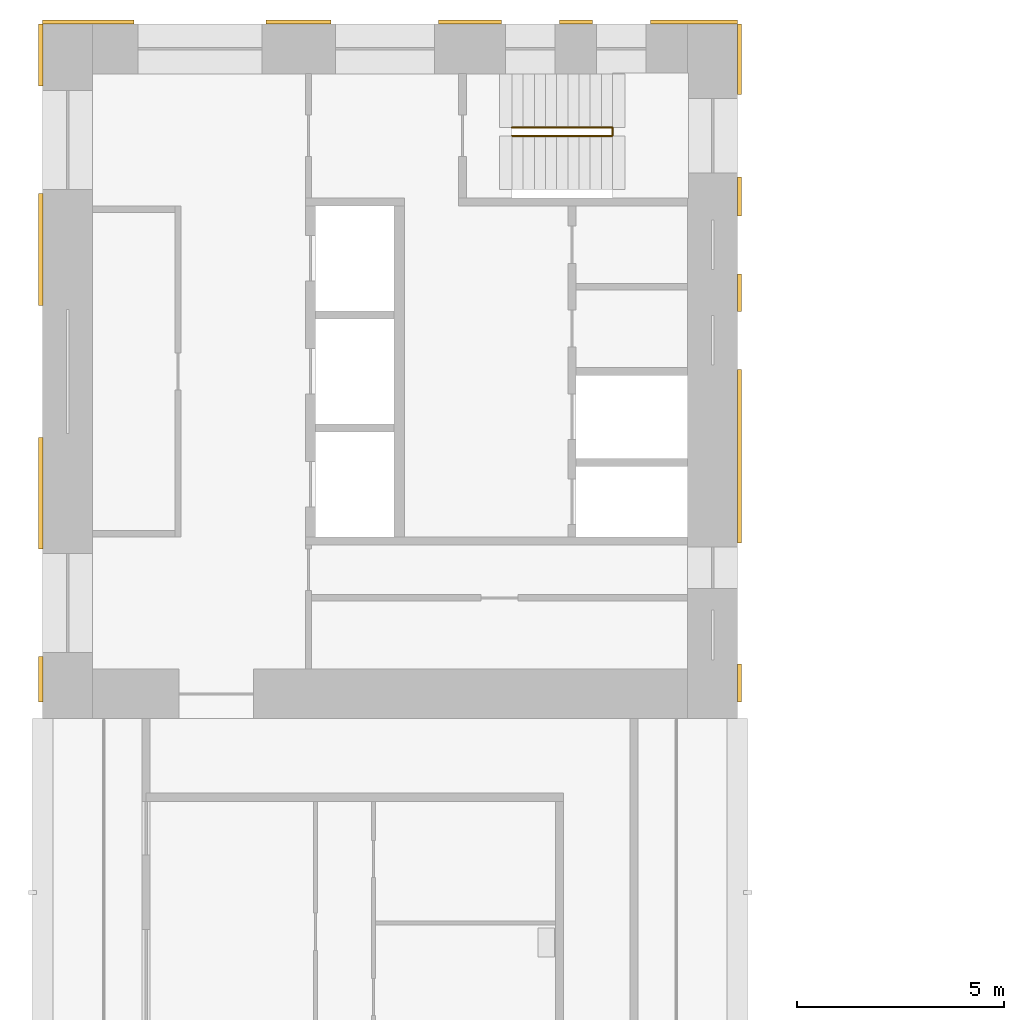
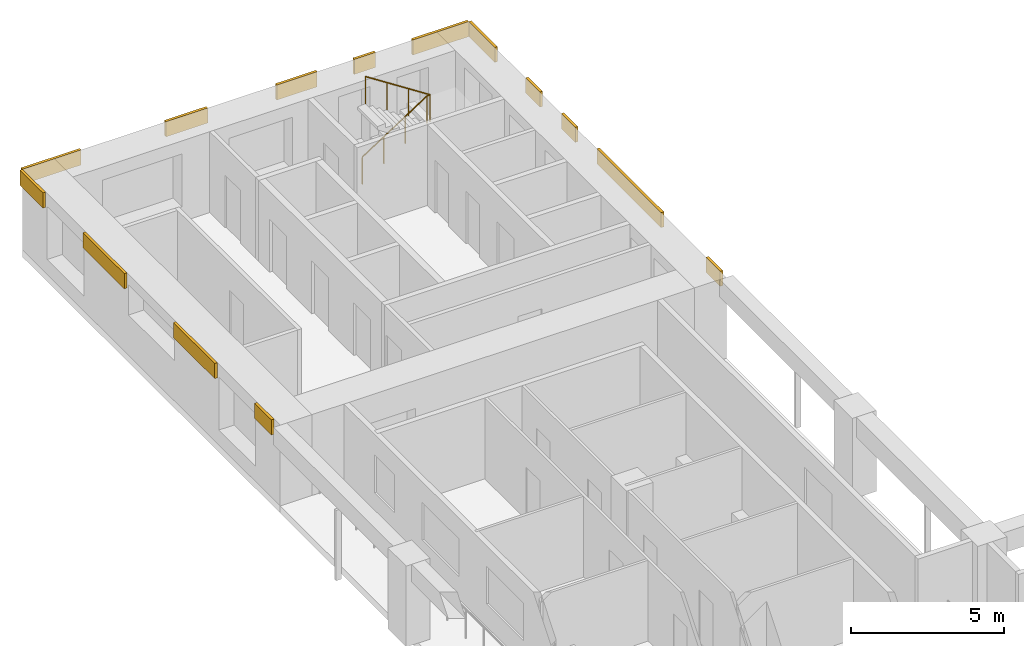
# One storey, part 9 of 10: 14 shading devices, 1 railing.
"""IFC4 building model written with IfcOpenShell, lengths in metres."""

from ifc_helpers import new_model, si_unit, direction, frame, origin, origin_2d, place, context, subcontext, project, spatial, rectangle, circle, extrude, material, layer, layer_set, type_object, element, save


model = new_model("IFC4")

# Units and contexts
model_context = context("Model", 3, precision=1e-05, world=origin(), true_north=direction((0.0, 1.0)))
body_context = subcontext(model_context, "Body", "Model", "MODEL_VIEW")
ifc_project = project(units=[si_unit("LENGTHUNIT", "METRE"), si_unit("AREAUNIT", "SQUARE_METRE"), si_unit("VOLUMEUNIT", "CUBIC_METRE"), si_unit("PLANEANGLEUNIT", "RADIAN"), si_unit("MASSUNIT", "GRAM", prefix="KILO")], contexts=[model_context])

# Site, building, storey
site_placement = place(None, origin())
site = spatial("IfcSite", under=ifc_project, at=site_placement, CompositionType="ELEMENT")
building_placement = place(site_placement, origin())
building = spatial("IfcBuilding", under=site, at=building_placement, Name="Vermilion Gate Residences", CompositionType="ELEMENT")
storey_placement = place(building_placement, frame((0.0, 0.0, 168.699951171875)))
storey = spatial("IfcBuildingStorey", under=building, at=storey_placement, Name="L43", CompositionType="ELEMENT", Elevation=168.699951171875)

# Railing
ifc_material_1 = material(Name="Steel S355", Category="steel")
railing_type = type_object("IfcRailingType", Name="STAIR GUARD 1100 STEEL", PredefinedType="GUARDRAIL", material=ifc_material_1)
railing_placement = place(storey_placement, frame((19.75, 56.300048828125, 0.175048828125)))
element("IfcRailing", 1, at=railing_placement, inside=storey, type_object=railing_type, Name="Stair well guard STB1-43", PredefinedType="GUARDRAIL", context=body_context, shape_type="SweptSolid", body=[
    extrude(circle(Radius=0.02392578125, at=origin_2d()), frame((0.0, 0.0, 1.076171875), z_axis=(0.839153699163, 0.0, 0.543894354798), x_axis=(0.0, 1.0, 0.0)), (0.0, 0.0, 1.0), 2.895751953125),
    extrude(circle(Radius=0.02392578125, at=origin_2d()), frame((2.429931640625, 0.0, 2.65087890625), z_axis=(0.0, -0.752405939678, 0.658699705433), x_axis=(1.0, 0.0, 0.0)), (0.0, 0.0, 1.0), 0.265869140625),
    extrude(circle(Radius=0.02392578125, at=origin_2d()), frame((2.429931640625, -0.199951171875, 2.826171875), z_axis=(-0.839153699163, 0.0, 0.543894354798), x_axis=(0.0, -1.0, 0.0)), (0.0, 0.0, 1.0), 2.895751953125),
    extrude(circle(Radius=0.02099609375, at=origin_2d()), origin(), (0.0, 0.0, 1.0), 1.052001953125),
    extrude(circle(Radius=0.02099609375, at=origin_2d()), frame((0.81005859375, 0.0, 0.52490234375)), (0.0, 0.0, 1.0), 1.052001953125),
    extrude(circle(Radius=0.02099609375, at=origin_2d()), frame((1.619873046875, 0.0, 1.050048828125)), (0.0, 0.0, 1.0), 1.052001953125),
    extrude(circle(Radius=0.02099609375, at=origin_2d()), frame((2.429931640625, 0.0, 1.574951171875)), (0.0, 0.0, 1.0), 1.052001953125),
    extrude(circle(Radius=0.02099609375, at=origin_2d()), frame((2.429931640625, -0.199951171875, 1.75)), (0.0, 0.0, 1.0), 1.052001953125),
    extrude(circle(Radius=0.02099609375, at=origin_2d()), frame((1.619873046875, -0.199951171875, 2.27490234375)), (0.0, 0.0, 1.0), 1.052001953125),
    extrude(circle(Radius=0.02099609375, at=origin_2d()), frame((0.81005859375, -0.199951171875, 2.800048828125)), (0.0, 0.0, 1.0), 1.052001953125),
    extrude(circle(Radius=0.02099609375, at=origin_2d()), frame((0.0, -0.199951171875, 3.324951171875)), (0.0, 0.0, 1.0), 1.052001953125),
])

# Shading devices
ifc_material_2 = material(Name="Extruded terracotta", Category="masonry")
ifc_layer = layer(ifc_material_2, 0.10009765625)
ifc_layer_set = layer_set([ifc_layer], Name="TERRACOTTA SPANDREL BAND 600 X 100")
shading_device_type = type_object("IfcShadingDeviceType", Name="TERRACOTTA SPANDREL BAND 600 X 100", PredefinedType="USERDEFINED", material=ifc_layer_set)
shading_device_1_placement = place(storey_placement, frame((9.50244140625, 58.85009765625, 2.6201171875), z_axis=(0.0, 0.0, 1.0), x_axis=(1.0, 0.0, 0.0)))
element("IfcShadingDevice", 2, at=shading_device_1_placement, inside=storey, type_object=shading_device_type, Name="SPANDREL BAND", ObjectType="BAND", PredefinedType="USERDEFINED", context=body_context, shape_type="SweptSolid", body=[
    extrude(rectangle(XDim=2.205078125, YDim=0.10009765625, at=origin_2d()), origin(), (0.0, 0.0, 1.0), 0.60009765625),
])
shading_device_2_placement = place(storey_placement, frame((14.590087890625, 58.85009765625, 2.6201171875), z_axis=(0.0, 0.0, 1.0), x_axis=(1.0, 0.0, 0.0)))
element("IfcShadingDevice", 3, at=shading_device_2_placement, inside=storey, type_object=shading_device_type, Name="SPANDREL BAND", ObjectType="BAND", PredefinedType="USERDEFINED", context=body_context, shape_type="SweptSolid", body=[
    extrude(rectangle(XDim=1.570068359375, YDim=0.10009765625, at=origin_2d()), origin(), (0.0, 0.0, 1.0), 0.60009765625),
])
shading_device_3_placement = place(storey_placement, frame((18.734130859375, 58.85009765625, 2.6201171875), z_axis=(0.0, 0.0, 1.0), x_axis=(1.0, 0.0, 0.0)))
element("IfcShadingDevice", 4, at=shading_device_3_placement, inside=storey, type_object=shading_device_type, Name="SPANDREL BAND", ObjectType="BAND", PredefinedType="USERDEFINED", context=body_context, shape_type="SweptSolid", body=[
    extrude(rectangle(XDim=1.518310546875, YDim=0.10009765625, at=origin_2d()), origin(), (0.0, 0.0, 1.0), 0.60009765625),
])
shading_device_4_placement = place(storey_placement, frame((21.294921875, 58.85009765625, 2.6201171875), z_axis=(0.0, 0.0, 1.0), x_axis=(1.0, 0.0, 0.0)))
element("IfcShadingDevice", 5, at=shading_device_4_placement, inside=storey, type_object=shading_device_type, Name="SPANDREL BAND", ObjectType="BAND", PredefinedType="USERDEFINED", context=body_context, shape_type="SweptSolid", body=[
    extrude(rectangle(XDim=0.803466796875, YDim=0.10009765625, at=origin_2d()), origin(), (0.0, 0.0, 1.0), 0.60009765625),
])
shading_device_5_placement = place(storey_placement, frame((24.1484375, 58.85009765625, 2.6201171875), z_axis=(0.0, 0.0, 1.0), x_axis=(1.0, 0.0, 0.0)))
element("IfcShadingDevice", 6, at=shading_device_5_placement, inside=storey, type_object=shading_device_type, Name="SPANDREL BAND", ObjectType="BAND", PredefinedType="USERDEFINED", context=body_context, shape_type="SweptSolid", body=[
    extrude(rectangle(XDim=2.103271484375, YDim=0.10009765625, at=origin_2d()), origin(), (0.0, 0.0, 1.0), 0.60009765625),
])
shading_device_6_placement = place(storey_placement, frame((8.35009765625, 42.949951171875, 2.6201171875), z_axis=(0.0, 0.0, 1.0), x_axis=(0.0, 1.0, 0.0)))
element("IfcShadingDevice", 7, at=shading_device_6_placement, inside=storey, type_object=shading_device_type, Name="SPANDREL BAND", ObjectType="BAND", PredefinedType="USERDEFINED", context=body_context, shape_type="SweptSolid", body=[
    extrude(rectangle(XDim=1.10009765625, YDim=0.10009765625, at=origin_2d()), origin(), (0.0, 0.0, 1.0), 0.60009765625),
])
for number, where, z_axis, x_axis, name in (
    (8, (8.35009765625, 47.449951171875, 2.6201171875), (0.0, 0.0, 1.0), (0.0, 1.0, 0.0), "SPANDREL BAND"),
    (9, (8.35009765625, 53.35009765625, 2.6201171875), (0.0, 0.0, 1.0), (0.0, 1.0, 0.0), "SPANDREL BAND"),
):
    element("IfcShadingDevice", number, at=place(storey_placement, frame(where, z_axis=z_axis, x_axis=x_axis)), inside=storey, type_object=shading_device_type, Name=name, ObjectType="BAND", PredefinedType="USERDEFINED", context=body_context, shape_type="SweptSolid", body=[
        extrude(rectangle(XDim=2.699951171875, YDim=0.10009765625, at=origin_2d()), origin(), (0.0, 0.0, 1.0), 0.60009765625),
    ])
shading_device_7_placement = place(storey_placement, frame((8.35009765625, 58.050048828125, 2.6201171875), z_axis=(0.0, 0.0, 1.0), x_axis=(0.0, 1.0, 0.0)))
element("IfcShadingDevice", 10, at=shading_device_7_placement, inside=storey, type_object=shading_device_type, Name="SPANDREL BAND", ObjectType="BAND", PredefinedType="USERDEFINED", context=body_context, shape_type="SweptSolid", body=[
    extrude(rectangle(XDim=1.5, YDim=0.10009765625, at=origin_2d()), origin(), (0.0, 0.0, 1.0), 0.60009765625),
])
shading_device_8_placement = place(storey_placement, frame((25.25, 42.862548828125, 2.6201171875), z_axis=(0.0, 0.0, 1.0), x_axis=(0.0, 1.0, 0.0)))
element("IfcShadingDevice", 11, at=shading_device_8_placement, inside=storey, type_object=shading_device_type, Name="SPANDREL BAND", ObjectType="BAND", PredefinedType="USERDEFINED", context=body_context, shape_type="SweptSolid", body=[
    extrude(rectangle(XDim=0.925048828125, YDim=0.10009765625, at=origin_2d()), origin(), (0.0, 0.0, 1.0), 0.60009765625),
])
shading_device_9_placement = place(storey_placement, frame((25.25, 48.35009765625, 2.6201171875), z_axis=(0.0, 0.0, 1.0), x_axis=(0.0, 1.0, 0.0)))
element("IfcShadingDevice", 12, at=shading_device_9_placement, inside=storey, type_object=shading_device_type, Name="SPANDREL BAND", ObjectType="BAND", PredefinedType="USERDEFINED", context=body_context, shape_type="SweptSolid", body=[
    extrude(rectangle(XDim=4.199951171875, YDim=0.10009765625, at=origin_2d()), origin(), (0.0, 0.0, 1.0), 0.60009765625),
])
shading_device_10_placement = place(storey_placement, frame((25.25, 52.30615234375, 2.6201171875), z_axis=(0.0, 0.0, 1.0), x_axis=(0.0, 1.0, 0.0)))
element("IfcShadingDevice", 13, at=shading_device_10_placement, inside=storey, type_object=shading_device_type, Name="SPANDREL BAND", ObjectType="BAND", PredefinedType="USERDEFINED", context=body_context, shape_type="SweptSolid", body=[
    extrude(rectangle(XDim=0.91259765625, YDim=0.10009765625, at=origin_2d()), origin(), (0.0, 0.0, 1.0), 0.60009765625),
])
shading_device_11_placement = place(storey_placement, frame((25.25, 54.631103515625, 2.6201171875), z_axis=(0.0, 0.0, 1.0), x_axis=(0.0, 1.0, 0.0)))
element("IfcShadingDevice", 14, at=shading_device_11_placement, inside=storey, type_object=shading_device_type, Name="SPANDREL BAND", ObjectType="BAND", PredefinedType="USERDEFINED", context=body_context, shape_type="SweptSolid", body=[
    extrude(rectangle(XDim=0.9375, YDim=0.10009765625, at=origin_2d()), origin(), (0.0, 0.0, 1.0), 0.60009765625),
])
shading_device_12_placement = place(storey_placement, frame((25.25, 57.949951171875, 2.6201171875), z_axis=(0.0, 0.0, 1.0), x_axis=(0.0, 1.0, 0.0)))
element("IfcShadingDevice", 15, at=shading_device_12_placement, inside=storey, type_object=shading_device_type, Name="SPANDREL BAND", ObjectType="BAND", PredefinedType="USERDEFINED", context=body_context, shape_type="SweptSolid", body=[
    extrude(rectangle(XDim=1.699951171875, YDim=0.10009765625, at=origin_2d()), origin(), (0.0, 0.0, 1.0), 0.60009765625),
])

save(model, "model.ifc")
